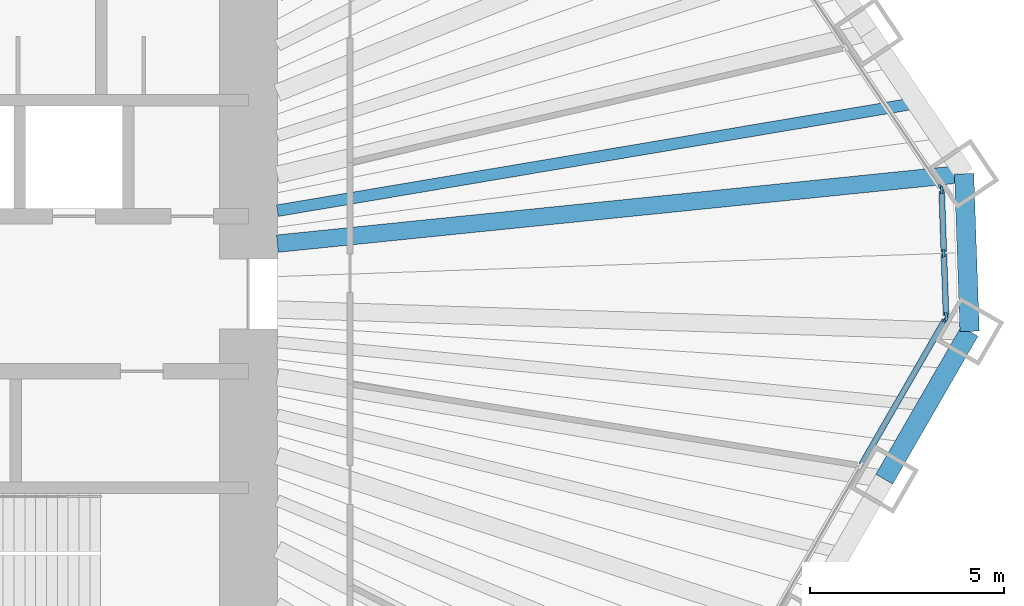
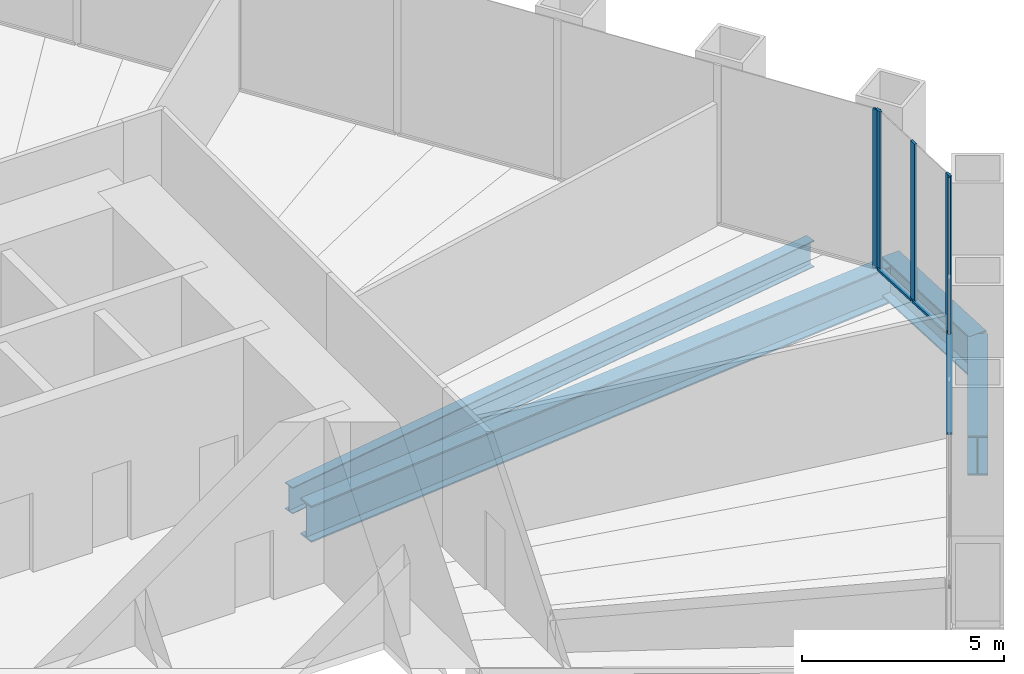
# One storey, part 5 of 13: 8 members, 4 beams, 3 elements without a shape of their own.
"""IFC4 building model written with IfcOpenShell, lengths in metres."""

from ifc_helpers import new_model, si_unit, direction, frame, origin, origin_2d, place, context, subcontext, project, spatial, rectangle, i_section, extrude, material, material_profile, profile_set, type_object, element, aggregate, save


model = new_model("IFC4")

# Units and contexts
model_context = context("Model", 3, precision=1e-05, world=origin(), true_north=direction((0.0, 1.0)))
body_context = subcontext(model_context, "Body", "Model", "MODEL_VIEW")
ifc_project = project(units=[si_unit("LENGTHUNIT", "METRE"), si_unit("AREAUNIT", "SQUARE_METRE"), si_unit("VOLUMEUNIT", "CUBIC_METRE"), si_unit("PLANEANGLEUNIT", "RADIAN"), si_unit("MASSUNIT", "GRAM", prefix="KILO")], contexts=[model_context])

# Site, building, storey
site_placement = place(None, origin())
site = spatial("IfcSite", under=ifc_project, at=site_placement, CompositionType="ELEMENT")
building_placement = place(site_placement, origin())
building = spatial("IfcBuilding", under=site, at=building_placement, Name="Qingtian Harvest Tower", CompositionType="ELEMENT")
storey_placement = place(building_placement, frame((0.0, 0.0, 77.0)))
storey = spatial("IfcBuildingStorey", under=building, at=storey_placement, Name="L15", CompositionType="ELEMENT", Elevation=77.0)

# Beams
ifc_material_1 = material(Name="Steel SM570MC", Category="steel")
ifc_material_profile_1 = material_profile(ifc_material_1, i_section(OverallWidth=0.449951171875, OverallDepth=1.10009765625, WebThickness=0.02197265625, FlangeThickness=0.044921875, at=origin_2d()), Name="H1100x450x22x45")
ifc_profile_set_1 = profile_set([ifc_material_profile_1], Name="Steel SM570MC")
beam_type_1 = type_object("IfcBeamType", Name="Corner floor beam FB8 H1100x450x22x45", PredefinedType="BEAM", material=ifc_profile_set_1)
beam_1_placement = place(storey_placement, frame((30.476318359375, 3.100830078125, -0.75), z_axis=(-0.994864371567, -0.101217005423, 0.0), x_axis=(0.101217005423, -0.994864371567, 0.0)))
element("IfcBeam", 1, at=beam_1_placement, inside=storey, type_object=beam_type_1, Name="Floor beam FB8 NE6", PredefinedType="BEAM", context=body_context, shape_type="SweptSolid", body=[
    extrude(i_section(OverallWidth=0.449951171875, OverallDepth=1.10009765625, WebThickness=0.02197265625, FlangeThickness=0.044921875, at=origin_2d()), origin(), (0.0, 0.0, 1.0), 17.81787109375),
])
ifc_material_2 = material(Name="Steel SN490B", Category="steel")
ifc_material_profile_2 = material_profile(ifc_material_2, i_section(OverallWidth=0.300048828125, OverallDepth=0.800048828125, WebThickness=0.013916015625, FlangeThickness=0.02587890625, at=origin_2d()), Name="H800x300x14x26")
ifc_profile_set_2 = profile_set([ifc_material_profile_2], Name="Steel SN490B")
beam_type_2 = type_object("IfcBeamType", Name="Floor joist J1 H800x300x14x26", PredefinedType="JOIST", material=ifc_profile_set_2)
beam_2_placement = place(storey_placement, frame((29.244873046875, 4.926513671875, -0.60009765625), z_axis=(-0.986107238024, -0.166109948877, 0.0), x_axis=(0.166109948877, -0.986107238024, 0.0)))
element("IfcBeam", 2, at=beam_2_placement, inside=storey, type_object=beam_type_2, Name="Floor joist J1 NE5", PredefinedType="JOIST", context=body_context, shape_type="SweptSolid", body=[
    extrude(i_section(OverallWidth=0.300048828125, OverallDepth=0.800048828125, WebThickness=0.013916015625, FlangeThickness=0.02587890625, at=origin_2d()), origin(), (0.0, 0.0, 1.0), 16.727294921875),
])

# Curtain wall, member
ifc_material_3 = material(Name="Bronze-anodised aluminium curtain wall", Category="aluminium")
curtain_wall_type = type_object("IfcCurtainWallType", Name="Curtain wall CW2 farm reception", PredefinedType="USERDEFINED", material=ifc_material_3)
curtain_wall_1_placement = place(storey_placement, origin())
curtain_wall_1 = element("IfcCurtainWall", 3, at=curtain_wall_1_placement, inside=storey, type_object=curtain_wall_type, Name="Curtain wall CW2 L15 NE0-5", ObjectType="RECESSED CURTAIN WALL", PredefinedType="USERDEFINED")
ifc_material_4 = material(Name="Bronze-anodised aluminium mullion", Category="aluminium")
ifc_material_profile_3 = material_profile(ifc_material_4, rectangle(XDim=0.06494140625, YDim=0.199951171875, at=origin_2d()), Name="AL 65x200")
ifc_profile_set_3 = profile_set([ifc_material_profile_3], Name="Bronze-anodised aluminium mullion")
member_type_1 = type_object("IfcMemberType", Name="Mullion CWM 65x200", PredefinedType="MULLION", material=ifc_profile_set_3)
member_1_placement = place(storey_placement, frame((29.8779296875, 2.736328125, 0.0), z_axis=(0.0, 0.0, 1.0), x_axis=(0.829037572555, 0.559192903471, 0.0)))
member_1 = element("IfcMember", 4, at=member_1_placement, type_object=member_type_1, Name="CW2 mullion 7", PredefinedType="MULLION", context=body_context, shape_type="SweptSolid", body=[
    extrude(rectangle(XDim=0.06494140625, YDim=0.199951171875, at=origin_2d()), origin(), (0.0, 0.0, 1.0), 4.800048828125),
])
aggregate(curtain_wall_1, [member_1])

# Curtain wall, members
curtain_wall_2_placement = place(storey_placement, origin())
curtain_wall_2 = element("IfcCurtainWall", 5, at=curtain_wall_2_placement, inside=storey, type_object=curtain_wall_type, Name="Curtain wall CW2 L15 NEC", ObjectType="RECESSED CURTAIN WALL", PredefinedType="USERDEFINED")
member_2_placement = place(storey_placement, frame((29.897216796875, 2.677001953125, 0.0), z_axis=(0.0, 0.0, 1.0), x_axis=(0.999390827019, 0.034899496703, 0.0)))
member_2 = element("IfcMember", 6, at=member_2_placement, type_object=member_type_1, Name="CW2 mullion 1", PredefinedType="MULLION", context=body_context, shape_type="SweptSolid", body=[
    extrude(rectangle(XDim=0.06494140625, YDim=0.199951171875, at=origin_2d()), origin(), (0.0, 0.0, 1.0), 4.800048828125),
])
member_3_placement = place(storey_placement, frame((29.9541015625, 1.046142578125, 0.0), z_axis=(0.0, 0.0, 1.0), x_axis=(0.999390827019, 0.034899496703, 0.0)))
member_3 = element("IfcMember", 7, at=member_3_placement, type_object=member_type_1, Name="CW2 mullion 2", PredefinedType="MULLION", context=body_context, shape_type="SweptSolid", body=[
    extrude(rectangle(XDim=0.06494140625, YDim=0.199951171875, at=origin_2d()), origin(), (0.0, 0.0, 1.0), 4.800048828125),
])
member_4_placement = place(storey_placement, frame((30.010986328125, -0.5849609375, 0.0), z_axis=(0.0, 0.0, 1.0), x_axis=(0.999390827019, 0.034899496703, 0.0)))
member_4 = element("IfcMember", 8, at=member_4_placement, type_object=member_type_1, Name="CW2 mullion 3", PredefinedType="MULLION", context=body_context, shape_type="SweptSolid", body=[
    extrude(rectangle(XDim=0.06494140625, YDim=0.199951171875, at=origin_2d()), origin(), (0.0, 0.0, 1.0), 4.800048828125),
])

# Curtain wall, member
curtain_wall_3_placement = place(storey_placement, origin())
curtain_wall_3 = element("IfcCurtainWall", 9, at=curtain_wall_3_placement, inside=storey, type_object=curtain_wall_type, Name="Curtain wall CW2 L15 SE0-5", ObjectType="RECESSED CURTAIN WALL", PredefinedType="USERDEFINED")
member_5_placement = place(storey_placement, frame((29.995849609375, -0.6455078125, 0.0), z_axis=(0.0, 0.0, 1.0), x_axis=(0.866025403784, -0.5, 0.0)))
member_5 = element("IfcMember", 10, at=member_5_placement, type_object=member_type_1, Name="CW2 mullion 1", PredefinedType="MULLION", context=body_context, shape_type="SweptSolid", body=[
    extrude(rectangle(XDim=0.06494140625, YDim=0.199951171875, at=origin_2d()), origin(), (0.0, 0.0, 1.0), 4.800048828125),
])

# Beams
ifc_material_5 = material(Name="Steel SM570MC", Category="steel")
ifc_material_profile_4 = material_profile(ifc_material_5, i_section(OverallWidth=0.5, OverallDepth=1.199951171875, WebThickness=0.02490234375, FlangeThickness=0.050048828125, at=origin_2d()), Name="H1200x500x25x50")
ifc_profile_set_4 = profile_set([ifc_material_profile_4], Name="Steel SM570MC")
beam_type_3 = type_object("IfcBeamType", Name="Spandrel beam SB1 H1200x500x25x50", PredefinedType="SPANDREL", material=ifc_profile_set_4)
beam_3_placement = place(storey_placement, frame((30.476318359375, 3.100830078125, -0.60009765625), z_axis=(0.03490639867, -0.999390585973, 0.0), x_axis=(0.999390585973, 0.03490639867, 0.0)))
element("IfcBeam", 11, at=beam_3_placement, inside=storey, type_object=beam_type_3, Name="Spandrel SB1 NEC", PredefinedType="SPANDREL", context=body_context, shape_type="SweptSolid", body=[
    extrude(i_section(OverallWidth=0.5, OverallDepth=1.199951171875, WebThickness=0.02490234375, FlangeThickness=0.050048828125, at=origin_2d()), origin(), (0.0, 0.0, 1.0), 4.070556640625),
])
beam_4_placement = place(storey_placement, frame((30.618408203125, -0.96728515625, -0.60009765625), z_axis=(-0.50001992892, -0.866013897511, 0.0), x_axis=(0.866013897511, -0.50001992892, 0.0)))
element("IfcBeam", 12, at=beam_4_placement, inside=storey, type_object=beam_type_3, Name="Spandrel SB1 SE0", PredefinedType="SPANDREL", context=body_context, shape_type="SweptSolid", body=[
    extrude(i_section(OverallWidth=0.5, OverallDepth=1.199951171875, WebThickness=0.02490234375, FlangeThickness=0.050048828125, at=origin_2d()), origin(), (0.0, 0.0, 1.0), 4.404541015625),
])

# Member
ifc_material_6 = material(Name="Bronze-anodised aluminium transom", Category="aluminium")
ifc_material_profile_5 = material_profile(ifc_material_6, rectangle(XDim=0.14990234375, YDim=0.06494140625, at=origin_2d()), Name="AL 65x150")
ifc_profile_set_5 = profile_set([ifc_material_profile_5], Name="Bronze-anodised aluminium transom")
member_type_2 = type_object("IfcMemberType", Name="Transom CWT 65x150", PredefinedType="USERDEFINED", material=ifc_profile_set_5)
member_6_placement = place(storey_placement, frame((29.898193359375, 2.64453125, 0.032470703125), z_axis=(0.034902326647, -0.999390728191, 0.0), x_axis=(0.999390728191, 0.034902326647, 0.0)))
member_6 = element("IfcMember", 13, at=member_6_placement, type_object=member_type_2, Name="CW2 transom 1.1", ObjectType="TRANSOM", PredefinedType="USERDEFINED", context=body_context, shape_type="SweptSolid", body=[
    extrude(rectangle(XDim=0.14990234375, YDim=0.06494140625, at=origin_2d()), origin(), (0.0, 0.0, 1.0), 1.56689453125),
])

member_7_placement = place(storey_placement, frame((29.955322265625, 1.013427734375, 0.032470703125), z_axis=(0.034902326647, -0.999390728191, 0.0), x_axis=(0.999390728191, 0.034902326647, 0.0)))
member_7 = element("IfcMember", 14, at=member_7_placement, type_object=member_type_2, Name="CW2 transom 2.1", ObjectType="TRANSOM", PredefinedType="USERDEFINED", context=body_context, shape_type="SweptSolid", body=[
    extrude(rectangle(XDim=0.14990234375, YDim=0.06494140625, at=origin_2d()), origin(), (0.0, 0.0, 1.0), 1.56689453125),
])

aggregate(curtain_wall_2, [member_2, member_3, member_4, member_6, member_7])

member_8_placement = place(storey_placement, frame((29.979736328125, -0.673583984375, 0.032470703125), z_axis=(-0.499985768833, -0.866033619997, 0.0), x_axis=(0.866033619997, -0.499985768833, 0.0)))
member_8 = element("IfcMember", 15, at=member_8_placement, type_object=member_type_2, Name="CW2 transom 1.1", ObjectType="TRANSOM", PredefinedType="USERDEFINED", context=body_context, shape_type="SweptSolid", body=[
    extrude(rectangle(XDim=0.14990234375, YDim=0.06494140625, at=origin_2d()), origin(), (0.0, 0.0, 1.0), 4.307373046875),
])

aggregate(curtain_wall_3, [member_5, member_8])

save(model, "model.ifc")
